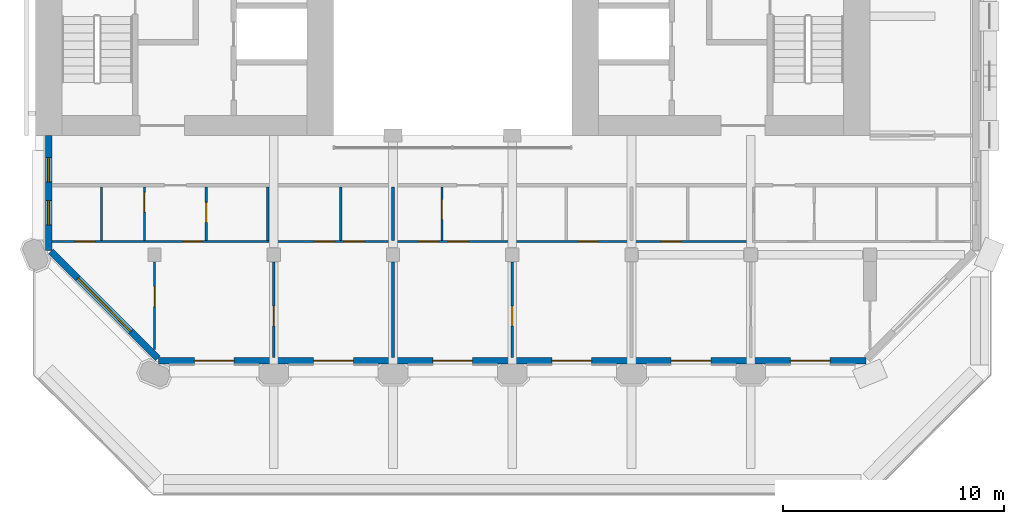
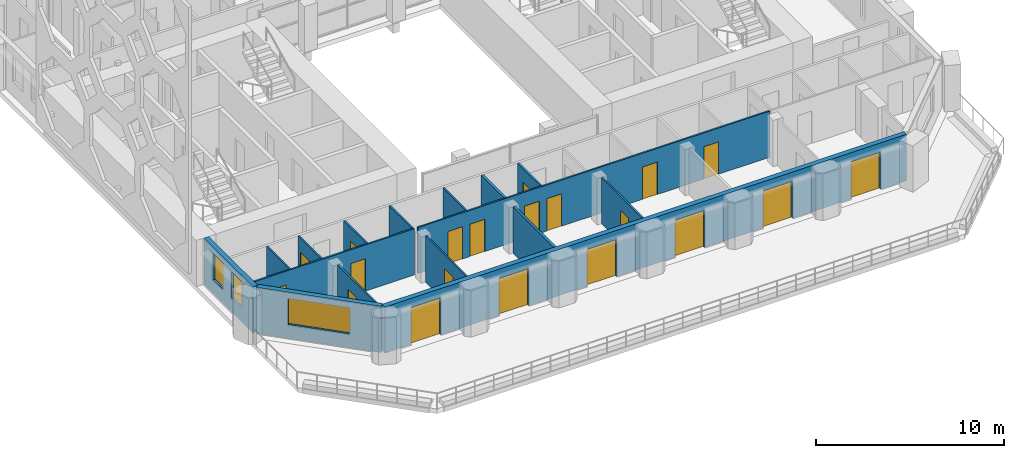
# One storey, part 8 of 17: 20 doors, 16 walls, 3 windows, 23 openings.
"""IFC4 building model written with IfcOpenShell, lengths in metres."""

from ifc_helpers import new_model, si_unit, direction, frame, frame_2d, origin, place, context, subcontext, project, spatial, rectangle, extrude, material, layer, layer_set, type_object, element, fill, save


model = new_model("IFC4")

# Units and contexts
model_context = context("Model", 3, precision=1e-05, world=origin(), true_north=direction((0.0, 1.0)))
body_context = subcontext(model_context, "Body", "Model", "MODEL_VIEW")
ifc_project = project(units=[si_unit("LENGTHUNIT", "METRE"), si_unit("AREAUNIT", "SQUARE_METRE"), si_unit("VOLUMEUNIT", "CUBIC_METRE"), si_unit("PLANEANGLEUNIT", "RADIAN"), si_unit("MASSUNIT", "GRAM", prefix="KILO")], contexts=[model_context])

# Site, building, storey
site_placement = place(None, origin())
site = spatial("IfcSite", under=ifc_project, at=site_placement, CompositionType="ELEMENT")
building_placement = place(site_placement, origin())
building = spatial("IfcBuilding", under=site, at=building_placement, Name="Tabaq Tower and Sports Hall", CompositionType="ELEMENT")
storey_placement = place(building_placement, frame((0.0, 0.0, 288.39990234375)))
storey = spatial("IfcBuildingStorey", under=building, at=storey_placement, Name="L71", CompositionType="ELEMENT", Elevation=288.39990234375)

# Wall, openings, doors
ifc_material_1 = material(Name="Gypsum board on steel studs", Category="steel")
ifc_layer_1 = layer(ifc_material_1, 0.10009765625)
ifc_layer_set_1 = layer_set([ifc_layer_1], Name="Partition 100 Gypsum board")
wall_type_1 = type_object("IfcWallType", Name="Partition 100 Gypsum board", PredefinedType="PARTITIONING", material=ifc_layer_set_1)
wall_1_placement = place(storey_placement, frame((15.97998046875, 11.39990234375, 0.0), z_axis=(0.0, 0.0, 1.0), x_axis=(-1.0, 0.0, 0.0)))
wall_1 = element("IfcWall", 1, at=wall_1_placement, inside=storey, type_object=wall_type_1, Name="Partition wall L71", PredefinedType="PARTITIONING", context=body_context, shape_type="SweptSolid", body=[
    extrude(rectangle(XDim=9.8291015625, YDim=0.10009765625, at=frame_2d((4.91455078125, 0.0))), origin(), (0.0, 0.0, 1.0), 3.0),
])
opening_1_placement = place(wall_1_placement, frame((7.8798828125, 0.0, 0.0)))
opening_1 = element("IfcOpeningElement", 2, at=opening_1_placement, cuts=wall_1, Name="Opening L71-018", PredefinedType="OPENING", context=body_context, shape_type="SweptSolid", body=[
    extrude(rectangle(XDim=0.89990234375, YDim=2.10009765625, at=frame_2d((0.449951171875, 1.050048828125))), frame((0.0, 0.050048828125, 0.0), z_axis=(0.0, -1.0, 0.0), x_axis=(1.0, 0.0, 0.0)), (0.0, 0.0, 1.0), 0.10009765625),
])
opening_2_placement = place(wall_1_placement, frame((3.010009765625, 0.0, 0.0)))
opening_2 = element("IfcOpeningElement", 3, at=opening_2_placement, cuts=wall_1, Name="Opening L71-058", PredefinedType="OPENING", context=body_context, shape_type="SweptSolid", body=[
    extrude(rectangle(XDim=0.89990234375, YDim=2.10009765625, at=frame_2d((0.449951171875, 1.050048828125))), frame((0.0, 0.050048828125, 0.0), z_axis=(0.0, -1.0, 0.0), x_axis=(1.0, 0.0, 0.0)), (0.0, 0.0, 1.0), 0.10009765625),
])
ifc_material_2 = material(Name="Timber leaf in steel frame", Category="steel")
door_type_1 = type_object("IfcDoorType", Name="Internal door 900 right hand", OperationType="SINGLE_SWING_RIGHT", PredefinedType="DOOR", material=ifc_material_2)
door_1_placement = place(opening_1_placement, origin())
door_1 = element("IfcDoor", 4, at=door_1_placement, inside=storey, type_object=door_type_1, Name="Internal door L71-018", OperationType="SINGLE_SWING_RIGHT", OverallHeight=2.10009765625, OverallWidth=0.89990234375, PredefinedType="DOOR", context=body_context, shape_type="SweptSolid", body=[
    extrude(rectangle(XDim=0.89990234375, YDim=2.10009765625, at=frame_2d((0.449951171875, 1.050048828125))), frame((0.0, 0.02490234375, 0.0), z_axis=(0.0, -1.0, 0.0), x_axis=(1.0, 0.0, 0.0)), (0.0, 0.0, 1.0), 0.050048828125),
])
fill(opening_1, door_1)
door_2_placement = place(opening_2_placement, origin())
door_2 = element("IfcDoor", 5, at=door_2_placement, inside=storey, type_object=door_type_1, Name="Internal door L71-058", OperationType="SINGLE_SWING_RIGHT", OverallHeight=2.10009765625, OverallWidth=0.89990234375, PredefinedType="DOOR", context=body_context, shape_type="SweptSolid", body=[
    extrude(rectangle(XDim=0.89990234375, YDim=2.10009765625, at=frame_2d((0.449951171875, 1.050048828125))), frame((0.0, 0.02490234375, 0.0), z_axis=(0.0, -1.0, 0.0), x_axis=(1.0, 0.0, 0.0)), (0.0, 0.0, 1.0), 0.050048828125),
])
fill(opening_2, door_2)

# Wall, opening, door
wall_2_placement = place(storey_placement, frame((10.800048828125, 6.51220703125, 0.0), z_axis=(0.0, 0.0, 1.0), x_axis=(0.0, 1.0, 0.0)))
wall_2 = element("IfcWall", 6, at=wall_2_placement, inside=storey, type_object=wall_type_1, Name="Partition wall L71", PredefinedType="PARTITIONING", context=body_context, shape_type="SweptSolid", body=[
    extrude(rectangle(XDim=3.9677734375, YDim=0.10009765625, at=frame_2d((1.98388671875, 0.0))), origin(), (0.0, 0.0, 1.0), 3.0),
])
opening_3_placement = place(wall_2_placement, frame((1.93798828125, 0.0, 0.0)))
opening_3 = element("IfcOpeningElement", 7, at=opening_3_placement, cuts=wall_2, Name="Opening L71-047", PredefinedType="OPENING", context=body_context, shape_type="SweptSolid", body=[
    extrude(rectangle(XDim=0.89990234375, YDim=2.10009765625, at=frame_2d((0.449951171875, 1.050048828125))), frame((0.0, 0.050048828125, 0.0), z_axis=(0.0, -1.0, 0.0), x_axis=(1.0, 0.0, 0.0)), (0.0, 0.0, 1.0), 0.10009765625),
])
door_3_placement = place(opening_3_placement, origin())
door_3 = element("IfcDoor", 8, at=door_3_placement, inside=storey, type_object=door_type_1, Name="Internal door L71-047", OperationType="SINGLE_SWING_RIGHT", OverallHeight=2.10009765625, OverallWidth=0.89990234375, PredefinedType="DOOR", context=body_context, shape_type="SweptSolid", body=[
    extrude(rectangle(XDim=0.89990234375, YDim=2.10009765625, at=frame_2d((0.449951171875, 1.050048828125))), frame((0.0, 0.02490234375, 0.0), z_axis=(0.0, -1.0, 0.0), x_axis=(1.0, 0.0, 0.0)), (0.0, 0.0, 1.0), 0.050048828125),
])
fill(opening_3, door_3)

wall_3_placement = place(storey_placement, frame((16.199951171875, 6.15087890625, 0.0), z_axis=(0.0, 0.0, 1.0), x_axis=(0.0, 1.0, 0.0)))
wall_3 = element("IfcWall", 9, at=wall_3_placement, inside=storey, type_object=wall_type_1, Name="Partition wall L71", PredefinedType="PARTITIONING", context=body_context, shape_type="SweptSolid", body=[
    extrude(rectangle(XDim=4.3291015625, YDim=0.10009765625, at=frame_2d((2.16455078125, 0.0))), origin(), (0.0, 0.0, 1.0), 3.0),
])
opening_4_placement = place(wall_3_placement, frame((1.424072265625, 0.0, 0.0)))
opening_4 = element("IfcOpeningElement", 10, at=opening_4_placement, cuts=wall_3, Name="Opening L71-056", PredefinedType="OPENING", context=body_context, shape_type="SweptSolid", body=[
    extrude(rectangle(XDim=0.89990234375, YDim=2.10009765625, at=frame_2d((0.449951171875, 1.050048828125))), frame((0.0, 0.050048828125, 0.0), z_axis=(0.0, -1.0, 0.0), x_axis=(1.0, 0.0, 0.0)), (0.0, 0.0, 1.0), 0.10009765625),
])
ifc_material_3 = material(Name="Timber leaf in steel frame", Category="steel")
door_type_2 = type_object("IfcDoorType", Name="Internal door 900 left hand", OperationType="SINGLE_SWING_LEFT", PredefinedType="DOOR", material=ifc_material_3)
door_4_placement = place(opening_4_placement, origin())
door_4 = element("IfcDoor", 11, at=door_4_placement, inside=storey, type_object=door_type_2, Name="Internal door L71-056", OperationType="SINGLE_SWING_LEFT", OverallHeight=2.10009765625, OverallWidth=0.89990234375, PredefinedType="DOOR", context=body_context, shape_type="SweptSolid", body=[
    extrude(rectangle(XDim=0.89990234375, YDim=2.10009765625, at=frame_2d((0.449951171875, 1.050048828125))), frame((0.0, 0.02490234375, 0.0), z_axis=(0.0, -1.0, 0.0), x_axis=(1.0, 0.0, 0.0)), (0.0, 0.0, 1.0), 0.050048828125),
])
fill(opening_4, door_4)

# Wall, openings, doors
wall_4_placement = place(storey_placement, frame((37.800048828125, 11.39990234375, 0.0), z_axis=(0.0, 0.0, 1.0), x_axis=(-1.0, 0.0, 0.0)))
wall_4 = element("IfcWall", 12, at=wall_4_placement, inside=storey, type_object=wall_type_1, Name="Partition wall L71", PredefinedType="PARTITIONING", context=body_context, shape_type="SweptSolid", body=[
    extrude(rectangle(XDim=21.60009765625, YDim=0.10009765625, at=frame_2d((10.800048828125, 0.0))), origin(), (0.0, 0.0, 1.0), 3.0),
])
opening_5_placement = place(wall_4_placement, frame((18.8701171875, 0.0, 0.0)))
opening_5 = element("IfcOpeningElement", 13, at=opening_5_placement, cuts=wall_4, Name="Opening L71-019", PredefinedType="OPENING", context=body_context, shape_type="SweptSolid", body=[
    extrude(rectangle(XDim=0.89990234375, YDim=2.10009765625, at=frame_2d((0.449951171875, 1.050048828125))), frame((0.0, 0.050048828125, 0.0), z_axis=(0.0, -1.0, 0.0), x_axis=(1.0, 0.0, 0.0)), (0.0, 0.0, 1.0), 0.10009765625),
])
opening_6_placement = place(wall_4_placement, frame((17.5, 0.0, 0.0)))
opening_6 = element("IfcOpeningElement", 14, at=opening_6_placement, cuts=wall_4, Name="Opening L71-020", PredefinedType="OPENING", context=body_context, shape_type="SweptSolid", body=[
    extrude(rectangle(XDim=0.89990234375, YDim=2.10009765625, at=frame_2d((0.449951171875, 1.050048828125))), frame((0.0, 0.050048828125, 0.0), z_axis=(0.0, -1.0, 0.0), x_axis=(1.0, 0.0, 0.0)), (0.0, 0.0, 1.0), 0.10009765625),
])
opening_7_placement = place(wall_4_placement, frame((6.916748046875, 0.0, 0.0)))
opening_7 = element("IfcOpeningElement", 15, at=opening_7_placement, cuts=wall_4, Name="Opening L71-023", PredefinedType="OPENING", context=body_context, shape_type="SweptSolid", body=[
    extrude(rectangle(XDim=0.89990234375, YDim=2.10009765625, at=frame_2d((0.449951171875, 1.050048828125))), frame((0.0, 0.050048828125, 0.0), z_axis=(0.0, -1.0, 0.0), x_axis=(1.0, 0.0, 0.0)), (0.0, 0.0, 1.0), 0.10009765625),
])
opening_8_placement = place(wall_4_placement, frame((3.14990234375, 0.0, 0.0)))
opening_8 = element("IfcOpeningElement", 16, at=opening_8_placement, cuts=wall_4, Name="Opening L71-025", PredefinedType="OPENING", context=body_context, shape_type="SweptSolid", body=[
    extrude(rectangle(XDim=0.89990234375, YDim=2.10009765625, at=frame_2d((0.449951171875, 1.050048828125))), frame((0.0, 0.050048828125, 0.0), z_axis=(0.0, -1.0, 0.0), x_axis=(1.0, 0.0, 0.0)), (0.0, 0.0, 1.0), 0.10009765625),
])
opening_9_placement = place(wall_4_placement, frame((14.157958984375, 0.0, 0.0)))
opening_9 = element("IfcOpeningElement", 17, at=opening_9_placement, cuts=wall_4, Name="Opening L71-049", PredefinedType="OPENING", context=body_context, shape_type="SweptSolid", body=[
    extrude(rectangle(XDim=0.89990234375, YDim=2.10009765625, at=frame_2d((0.449951171875, 1.050048828125))), frame((0.0, 0.050048828125, 0.0), z_axis=(0.0, -1.0, 0.0), x_axis=(1.0, 0.0, 0.0)), (0.0, 0.0, 1.0), 0.10009765625),
])
opening_10_placement = place(wall_4_placement, frame((12.7880859375, 0.0, 0.0)))
opening_10 = element("IfcOpeningElement", 18, at=opening_10_placement, cuts=wall_4, Name="Opening L71-060", PredefinedType="OPENING", context=body_context, shape_type="SweptSolid", body=[
    extrude(rectangle(XDim=0.89990234375, YDim=2.10009765625, at=frame_2d((0.449951171875, 1.050048828125))), frame((0.0, 0.050048828125, 0.0), z_axis=(0.0, -1.0, 0.0), x_axis=(1.0, 0.0, 0.0)), (0.0, 0.0, 1.0), 0.10009765625),
])
door_5_placement = place(opening_5_placement, origin())
door_5 = element("IfcDoor", 19, at=door_5_placement, inside=storey, type_object=door_type_2, Name="Internal door L71-019", OperationType="SINGLE_SWING_LEFT", OverallHeight=2.10009765625, OverallWidth=0.89990234375, PredefinedType="DOOR", context=body_context, shape_type="SweptSolid", body=[
    extrude(rectangle(XDim=0.89990234375, YDim=2.10009765625, at=frame_2d((0.449951171875, 1.050048828125))), frame((0.0, 0.02490234375, 0.0), z_axis=(0.0, -1.0, 0.0), x_axis=(1.0, 0.0, 0.0)), (0.0, 0.0, 1.0), 0.050048828125),
])
fill(opening_5, door_5)
door_6_placement = place(opening_7_placement, origin())
door_6 = element("IfcDoor", 20, at=door_6_placement, inside=storey, type_object=door_type_2, Name="Internal door L71-023", OperationType="SINGLE_SWING_LEFT", OverallHeight=2.10009765625, OverallWidth=0.89990234375, PredefinedType="DOOR", context=body_context, shape_type="SweptSolid", body=[
    extrude(rectangle(XDim=0.89990234375, YDim=2.10009765625, at=frame_2d((0.449951171875, 1.050048828125))), frame((0.0, 0.02490234375, 0.0), z_axis=(0.0, -1.0, 0.0), x_axis=(1.0, 0.0, 0.0)), (0.0, 0.0, 1.0), 0.050048828125),
])
fill(opening_7, door_6)
door_7_placement = place(opening_10_placement, origin())
door_7 = element("IfcDoor", 21, at=door_7_placement, inside=storey, type_object=door_type_2, Name="Internal door L71-060", OperationType="SINGLE_SWING_LEFT", OverallHeight=2.10009765625, OverallWidth=0.89990234375, PredefinedType="DOOR", context=body_context, shape_type="SweptSolid", body=[
    extrude(rectangle(XDim=0.89990234375, YDim=2.10009765625, at=frame_2d((0.449951171875, 1.050048828125))), frame((0.0, 0.02490234375, 0.0), z_axis=(0.0, -1.0, 0.0), x_axis=(1.0, 0.0, 0.0)), (0.0, 0.0, 1.0), 0.050048828125),
])
fill(opening_10, door_7)
door_8_placement = place(opening_6_placement, origin())
door_8 = element("IfcDoor", 22, at=door_8_placement, inside=storey, type_object=door_type_1, Name="Internal door L71-020", OperationType="SINGLE_SWING_RIGHT", OverallHeight=2.10009765625, OverallWidth=0.89990234375, PredefinedType="DOOR", context=body_context, shape_type="SweptSolid", body=[
    extrude(rectangle(XDim=0.89990234375, YDim=2.10009765625, at=frame_2d((0.449951171875, 1.050048828125))), frame((0.0, 0.02490234375, 0.0), z_axis=(0.0, -1.0, 0.0), x_axis=(1.0, 0.0, 0.0)), (0.0, 0.0, 1.0), 0.050048828125),
])
fill(opening_6, door_8)
door_9_placement = place(opening_8_placement, origin())
door_9 = element("IfcDoor", 23, at=door_9_placement, inside=storey, type_object=door_type_1, Name="Internal door L71-025", OperationType="SINGLE_SWING_RIGHT", OverallHeight=2.10009765625, OverallWidth=0.89990234375, PredefinedType="DOOR", context=body_context, shape_type="SweptSolid", body=[
    extrude(rectangle(XDim=0.89990234375, YDim=2.10009765625, at=frame_2d((0.449951171875, 1.050048828125))), frame((0.0, 0.02490234375, 0.0), z_axis=(0.0, -1.0, 0.0), x_axis=(1.0, 0.0, 0.0)), (0.0, 0.0, 1.0), 0.050048828125),
])
fill(opening_8, door_9)
door_10_placement = place(opening_9_placement, origin())
door_10 = element("IfcDoor", 24, at=door_10_placement, inside=storey, type_object=door_type_1, Name="Internal door L71-049", OperationType="SINGLE_SWING_RIGHT", OverallHeight=2.10009765625, OverallWidth=0.89990234375, PredefinedType="DOOR", context=body_context, shape_type="SweptSolid", body=[
    extrude(rectangle(XDim=0.89990234375, YDim=2.10009765625, at=frame_2d((0.449951171875, 1.050048828125))), frame((0.0, 0.02490234375, 0.0), z_axis=(0.0, -1.0, 0.0), x_axis=(1.0, 0.0, 0.0)), (0.0, 0.0, 1.0), 0.050048828125),
])
fill(opening_9, door_10)

# Wall
wall_5_placement = place(storey_placement, frame((8.39990234375, 11.449951171875, 0.0), z_axis=(0.0, 0.0, 1.0), x_axis=(0.0, 1.0, 0.0)))
element("IfcWall", 25, at=wall_5_placement, inside=storey, type_object=wall_type_1, Name="Partition wall L71", PredefinedType="PARTITIONING", context=body_context, shape_type="SweptSolid", body=[
    extrude(rectangle(XDim=2.425048828125, YDim=0.10009765625, at=frame_2d((1.21240234375, 0.0))), origin(), (0.0, 0.0, 1.0), 3.0),
])

# Wall, opening, door
wall_6_placement = place(storey_placement, frame((10.340087890625, 11.449951171875, 0.0), z_axis=(0.0, 0.0, 1.0), x_axis=(0.0, 1.0, 0.0)))
wall_6 = element("IfcWall", 26, at=wall_6_placement, inside=storey, type_object=wall_type_1, Name="Partition wall L71", PredefinedType="PARTITIONING", context=body_context, shape_type="SweptSolid", body=[
    extrude(rectangle(XDim=2.425048828125, YDim=0.10009765625, at=frame_2d((1.21240234375, 0.0))), origin(), (0.0, 0.0, 1.0), 3.0),
])
opening_11_placement = place(wall_6_placement, frame((1.27490234375, 0.0, 0.0)))
opening_11 = element("IfcOpeningElement", 27, at=opening_11_placement, cuts=wall_6, Name="Opening L71-021", PredefinedType="OPENING", context=body_context, shape_type="SweptSolid", body=[
    extrude(rectangle(XDim=0.89990234375, YDim=2.10009765625, at=frame_2d((0.449951171875, 1.050048828125))), frame((0.0, 0.050048828125, 0.0), z_axis=(0.0, -1.0, 0.0), x_axis=(1.0, 0.0, 0.0)), (0.0, 0.0, 1.0), 0.10009765625),
])
door_11_placement = place(opening_11_placement, origin())
door_11 = element("IfcDoor", 28, at=door_11_placement, inside=storey, type_object=door_type_1, Name="Internal door L71-021", OperationType="SINGLE_SWING_RIGHT", OverallHeight=2.10009765625, OverallWidth=0.89990234375, PredefinedType="DOOR", context=body_context, shape_type="SweptSolid", body=[
    extrude(rectangle(XDim=0.89990234375, YDim=2.10009765625, at=frame_2d((0.449951171875, 1.050048828125))), frame((0.0, 0.02490234375, 0.0), z_axis=(0.0, -1.0, 0.0), x_axis=(1.0, 0.0, 0.0)), (0.0, 0.0, 1.0), 0.050048828125),
])
fill(opening_11, door_11)

wall_7_placement = place(storey_placement, frame((13.139892578125, 11.449951171875, 0.0), z_axis=(0.0, 0.0, 1.0), x_axis=(0.0, 1.0, 0.0)))
wall_7 = element("IfcWall", 29, at=wall_7_placement, inside=storey, type_object=wall_type_1, Name="Partition wall L71", PredefinedType="PARTITIONING", context=body_context, shape_type="SweptSolid", body=[
    extrude(rectangle(XDim=2.425048828125, YDim=0.10009765625, at=frame_2d((1.21240234375, 0.0))), origin(), (0.0, 0.0, 1.0), 3.0),
])
opening_12_placement = place(wall_7_placement, frame((0.819091796875, 0.0, 0.0)))
opening_12 = element("IfcOpeningElement", 30, at=opening_12_placement, cuts=wall_7, Name="Opening L71-022", PredefinedType="OPENING", context=body_context, shape_type="SweptSolid", body=[
    extrude(rectangle(XDim=0.89990234375, YDim=2.10009765625, at=frame_2d((0.449951171875, 1.050048828125))), frame((0.0, 0.050048828125, 0.0), z_axis=(0.0, -1.0, 0.0), x_axis=(1.0, 0.0, 0.0)), (0.0, 0.0, 1.0), 0.10009765625),
])
door_12_placement = place(opening_12_placement, origin())
door_12 = element("IfcDoor", 31, at=door_12_placement, inside=storey, type_object=door_type_2, Name="Internal door L71-022", OperationType="SINGLE_SWING_LEFT", OverallHeight=2.10009765625, OverallWidth=0.89990234375, PredefinedType="DOOR", context=body_context, shape_type="SweptSolid", body=[
    extrude(rectangle(XDim=0.89990234375, YDim=2.10009765625, at=frame_2d((0.449951171875, 1.050048828125))), frame((0.0, 0.02490234375, 0.0), z_axis=(0.0, -1.0, 0.0), x_axis=(1.0, 0.0, 0.0)), (0.0, 0.0, 1.0), 0.050048828125),
])
fill(opening_12, door_12)

# Walls
for number, where, z_axis, x_axis, name in (
    (32, (15.929931640625, 11.449951171875, 0.0), (0.0, 0.0, 1.0), (0.0, 1.0, 0.0), "Partition wall L71"),
    (33, (19.22998046875, 11.449951171875, 0.0), (0.0, 0.0, 1.0), (0.0, 1.0, 0.0), "Partition wall L71"),
):
    element("IfcWall", number, at=place(storey_placement, frame(where, z_axis=z_axis, x_axis=x_axis)), inside=storey, type_object=wall_type_1, Name=name, PredefinedType="PARTITIONING", context=body_context, shape_type="SweptSolid", body=[
        extrude(rectangle(XDim=2.425048828125, YDim=0.10009765625, at=frame_2d((1.21240234375, 0.0))), origin(), (0.0, 0.0, 1.0), 3.0),
    ])

# Wall, opening, door
wall_8_placement = place(storey_placement, frame((27.0, 6.15087890625, 0.0), z_axis=(0.0, 0.0, 1.0), x_axis=(0.0, 1.0, 0.0)))
wall_8 = element("IfcWall", 34, at=wall_8_placement, inside=storey, type_object=wall_type_1, Name="Partition wall L71", PredefinedType="PARTITIONING", context=body_context, shape_type="SweptSolid", body=[
    extrude(rectangle(XDim=4.3291015625, YDim=0.10009765625, at=frame_2d((2.16455078125, 0.0))), origin(), (0.0, 0.0, 1.0), 3.0),
])
opening_13_placement = place(wall_8_placement, frame((1.424072265625, 0.0, 0.0)))
opening_13 = element("IfcOpeningElement", 35, at=opening_13_placement, cuts=wall_8, Name="Opening L71-048", PredefinedType="OPENING", context=body_context, shape_type="SweptSolid", body=[
    extrude(rectangle(XDim=0.89990234375, YDim=2.10009765625, at=frame_2d((0.449951171875, 1.050048828125))), frame((0.0, 0.050048828125, 0.0), z_axis=(0.0, -1.0, 0.0), x_axis=(1.0, 0.0, 0.0)), (0.0, 0.0, 1.0), 0.10009765625),
])
door_13_placement = place(opening_13_placement, origin())
door_13 = element("IfcDoor", 36, at=door_13_placement, inside=storey, type_object=door_type_1, Name="Internal door L71-048", OperationType="SINGLE_SWING_RIGHT", OverallHeight=2.10009765625, OverallWidth=0.89990234375, PredefinedType="DOOR", context=body_context, shape_type="SweptSolid", body=[
    extrude(rectangle(XDim=0.89990234375, YDim=2.10009765625, at=frame_2d((0.449951171875, 1.050048828125))), frame((0.0, 0.02490234375, 0.0), z_axis=(0.0, -1.0, 0.0), x_axis=(1.0, 0.0, 0.0)), (0.0, 0.0, 1.0), 0.050048828125),
])
fill(opening_13, door_13)

wall_9_placement = place(storey_placement, frame((23.81201171875, 11.449951171875, 0.0), z_axis=(0.0, 0.0, 1.0), x_axis=(0.0, 1.0, 0.0)))
wall_9 = element("IfcWall", 37, at=wall_9_placement, inside=storey, type_object=wall_type_1, Name="Partition wall L71", PredefinedType="PARTITIONING", context=body_context, shape_type="SweptSolid", body=[
    extrude(rectangle(XDim=2.425048828125, YDim=0.10009765625, at=frame_2d((1.21240234375, 0.0))), origin(), (0.0, 0.0, 1.0), 3.0),
])
opening_14_placement = place(wall_9_placement, frame((0.949951171875, 0.0, 0.0)))
opening_14 = element("IfcOpeningElement", 38, at=opening_14_placement, cuts=wall_9, Name="Opening L71-050", PredefinedType="OPENING", context=body_context, shape_type="SweptSolid", body=[
    extrude(rectangle(XDim=0.89990234375, YDim=2.10009765625, at=frame_2d((0.449951171875, 1.050048828125))), frame((0.0, 0.050048828125, 0.0), z_axis=(0.0, -1.0, 0.0), x_axis=(1.0, 0.0, 0.0)), (0.0, 0.0, 1.0), 0.10009765625),
])
door_14_placement = place(opening_14_placement, origin())
door_14 = element("IfcDoor", 39, at=door_14_placement, inside=storey, type_object=door_type_2, Name="Internal door L71-050", OperationType="SINGLE_SWING_LEFT", OverallHeight=2.10009765625, OverallWidth=0.89990234375, PredefinedType="DOOR", context=body_context, shape_type="SweptSolid", body=[
    extrude(rectangle(XDim=0.89990234375, YDim=2.10009765625, at=frame_2d((0.449951171875, 1.050048828125))), frame((0.0, 0.02490234375, 0.0), z_axis=(0.0, -1.0, 0.0), x_axis=(1.0, 0.0, 0.0)), (0.0, 0.0, 1.0), 0.050048828125),
])
fill(opening_14, door_14)

# Walls
ifc_material_4 = material(Name="Blockwork", Category="masonry")
ifc_layer_2 = layer(ifc_material_4, 0.14990234375)
ifc_layer_set_2 = layer_set([ifc_layer_2], Name="Separating wall 150 Blockwork")
wall_type_2 = type_object("IfcWallType", Name="Separating wall 150 Blockwork", PredefinedType="PARTITIONING", material=ifc_layer_set_2)
wall_10_placement = place(storey_placement, frame((21.60009765625, 6.15087890625, 0.0), z_axis=(0.0, 0.0, 1.0), x_axis=(0.0, 1.0, 0.0)))
element("IfcWall", 40, at=wall_10_placement, inside=storey, type_object=wall_type_2, Name="Separating wall L71", PredefinedType="PARTITIONING", context=body_context, shape_type="SweptSolid", body=[
    extrude(rectangle(XDim=4.3291015625, YDim=0.14990234375, at=frame_2d((2.16455078125, 0.0))), origin(), (0.0, 0.0, 1.0), 3.0),
])
wall_11_placement = place(storey_placement, frame((21.60009765625, 11.449951171875, 0.0), z_axis=(0.0, 0.0, 1.0), x_axis=(0.0, 1.0, 0.0)))
element("IfcWall", 41, at=wall_11_placement, inside=storey, type_object=wall_type_2, Name="Separating wall L71", PredefinedType="PARTITIONING", context=body_context, shape_type="SweptSolid", body=[
    extrude(rectangle(XDim=2.425048828125, YDim=0.14990234375, at=frame_2d((1.21240234375, 0.0))), origin(), (0.0, 0.0, 1.0), 3.0),
])

# Wall, openings, doors
ifc_material_5 = material(Name="White precast concrete C60/75", Category="concrete")
ifc_layer_3 = layer(ifc_material_5, 0.300048828125)
ifc_layer_set_3 = layer_set([ifc_layer_3], Name="White precast concrete C60/75 external wall 300")
wall_type_3 = type_object("IfcWallType", Name="White precast concrete C60/75 external wall 300", PredefinedType="SOLIDWALL", material=ifc_layer_set_3)
wall_12_placement = place(storey_placement, frame((10.986328125, 6.0, 0.0), z_axis=(0.0, 0.0, 1.0), x_axis=(1.0, 0.0, 0.0)))
wall_12 = element("IfcWall", 42, at=wall_12_placement, inside=storey, type_object=wall_type_3, Name="External Wall L71 S", PredefinedType="SOLIDWALL", context=body_context, shape_type="SweptSolid", body=[
    extrude(rectangle(XDim=32.02734375, YDim=0.300048828125, at=frame_2d((16.013671875, 0.0))), origin(), (0.0, 0.0, 1.0), 3.0),
])
opening_15_placement = place(wall_12_placement, frame((1.613525390625, 0.0, 0.0)))
opening_15 = element("IfcOpeningElement", 43, at=opening_15_placement, cuts=wall_12, Name="Opening TD7101", PredefinedType="OPENING", context=body_context, shape_type="SweptSolid", body=[
    extrude(rectangle(XDim=1.800048828125, YDim=2.39990234375, at=frame_2d((0.89990234375, 1.199951171875))), frame((0.0, 0.16015625, 0.0), z_axis=(0.0, -1.0, 0.0), x_axis=(1.0, 0.0, 0.0)), (0.0, 0.0, 1.0), 0.320068359375),
])
opening_16_placement = place(wall_12_placement, frame((7.013671875, 0.0, 0.0)))
opening_16 = element("IfcOpeningElement", 44, at=opening_16_placement, cuts=wall_12, Name="Opening TD7102", PredefinedType="OPENING", context=body_context, shape_type="SweptSolid", body=[
    extrude(rectangle(XDim=1.800048828125, YDim=2.39990234375, at=frame_2d((0.89990234375, 1.199951171875))), frame((0.0, 0.16015625, 0.0), z_axis=(0.0, -1.0, 0.0), x_axis=(1.0, 0.0, 0.0)), (0.0, 0.0, 1.0), 0.320068359375),
])
opening_17_placement = place(wall_12_placement, frame((12.41357421875, 0.0, 0.0)))
opening_17 = element("IfcOpeningElement", 45, at=opening_17_placement, cuts=wall_12, Name="Opening TD7103", PredefinedType="OPENING", context=body_context, shape_type="SweptSolid", body=[
    extrude(rectangle(XDim=1.800048828125, YDim=2.39990234375, at=frame_2d((0.89990234375, 1.199951171875))), frame((0.0, 0.16015625, 0.0), z_axis=(0.0, -1.0, 0.0), x_axis=(1.0, 0.0, 0.0)), (0.0, 0.0, 1.0), 0.320068359375),
])
opening_18_placement = place(wall_12_placement, frame((17.813720703125, 0.0, 0.0)))
opening_18 = element("IfcOpeningElement", 46, at=opening_18_placement, cuts=wall_12, Name="Opening TD7104", PredefinedType="OPENING", context=body_context, shape_type="SweptSolid", body=[
    extrude(rectangle(XDim=1.800048828125, YDim=2.39990234375, at=frame_2d((0.89990234375, 1.199951171875))), frame((0.0, 0.16015625, 0.0), z_axis=(0.0, -1.0, 0.0), x_axis=(1.0, 0.0, 0.0)), (0.0, 0.0, 1.0), 0.320068359375),
])
opening_19_placement = place(wall_12_placement, frame((23.213623046875, 0.0, 0.0)))
opening_19 = element("IfcOpeningElement", 47, at=opening_19_placement, cuts=wall_12, Name="Opening TD7105", PredefinedType="OPENING", context=body_context, shape_type="SweptSolid", body=[
    extrude(rectangle(XDim=1.800048828125, YDim=2.39990234375, at=frame_2d((0.89990234375, 1.199951171875))), frame((0.0, 0.16015625, 0.0), z_axis=(0.0, -1.0, 0.0), x_axis=(1.0, 0.0, 0.0)), (0.0, 0.0, 1.0), 0.320068359375),
])
opening_20_placement = place(wall_12_placement, frame((28.613525390625, 0.0, 0.0)))
opening_20 = element("IfcOpeningElement", 48, at=opening_20_placement, cuts=wall_12, Name="Opening TD7106", PredefinedType="OPENING", context=body_context, shape_type="SweptSolid", body=[
    extrude(rectangle(XDim=1.800048828125, YDim=2.39990234375, at=frame_2d((0.89990234375, 1.199951171875))), frame((0.0, 0.16015625, 0.0), z_axis=(0.0, -1.0, 0.0), x_axis=(1.0, 0.0, 0.0)), (0.0, 0.0, 1.0), 0.320068359375),
])
ifc_material_6 = material(Name="Aluminium framed clear glazing", Category="aluminium")
door_type_3 = type_object("IfcDoorType", Name="Terrace door TD1", OperationType="DOUBLE_DOOR_DOUBLE_SWING", PredefinedType="DOOR", material=ifc_material_6)
door_15_placement = place(opening_15_placement, origin())
door_15 = element("IfcDoor", 49, at=door_15_placement, inside=storey, type_object=door_type_3, Name="Terrace door TD7101", OperationType="DOUBLE_DOOR_DOUBLE_SWING", OverallHeight=2.39990234375, OverallWidth=1.800048828125, PredefinedType="DOOR", context=body_context, shape_type="SweptSolid", body=[
    extrude(rectangle(XDim=1.800048828125, YDim=2.39990234375, at=frame_2d((0.89990234375, 1.199951171875))), frame((0.0, 0.02490234375, 0.0), z_axis=(0.0, -1.0, 0.0), x_axis=(1.0, 0.0, 0.0)), (0.0, 0.0, 1.0), 0.050048828125),
])
fill(opening_15, door_15)
door_16_placement = place(opening_16_placement, origin())
door_16 = element("IfcDoor", 50, at=door_16_placement, inside=storey, type_object=door_type_3, Name="Terrace door TD7102", OperationType="DOUBLE_DOOR_DOUBLE_SWING", OverallHeight=2.39990234375, OverallWidth=1.800048828125, PredefinedType="DOOR", context=body_context, shape_type="SweptSolid", body=[
    extrude(rectangle(XDim=1.800048828125, YDim=2.39990234375, at=frame_2d((0.89990234375, 1.199951171875))), frame((0.0, 0.02490234375, 0.0), z_axis=(0.0, -1.0, 0.0), x_axis=(1.0, 0.0, 0.0)), (0.0, 0.0, 1.0), 0.050048828125),
])
fill(opening_16, door_16)
door_17_placement = place(opening_17_placement, origin())
door_17 = element("IfcDoor", 51, at=door_17_placement, inside=storey, type_object=door_type_3, Name="Terrace door TD7103", OperationType="DOUBLE_DOOR_DOUBLE_SWING", OverallHeight=2.39990234375, OverallWidth=1.800048828125, PredefinedType="DOOR", context=body_context, shape_type="SweptSolid", body=[
    extrude(rectangle(XDim=1.800048828125, YDim=2.39990234375, at=frame_2d((0.89990234375, 1.199951171875))), frame((0.0, 0.02490234375, 0.0), z_axis=(0.0, -1.0, 0.0), x_axis=(1.0, 0.0, 0.0)), (0.0, 0.0, 1.0), 0.050048828125),
])
fill(opening_17, door_17)
door_18_placement = place(opening_18_placement, origin())
door_18 = element("IfcDoor", 52, at=door_18_placement, inside=storey, type_object=door_type_3, Name="Terrace door TD7104", OperationType="DOUBLE_DOOR_DOUBLE_SWING", OverallHeight=2.39990234375, OverallWidth=1.800048828125, PredefinedType="DOOR", context=body_context, shape_type="SweptSolid", body=[
    extrude(rectangle(XDim=1.800048828125, YDim=2.39990234375, at=frame_2d((0.89990234375, 1.199951171875))), frame((0.0, 0.02490234375, 0.0), z_axis=(0.0, -1.0, 0.0), x_axis=(1.0, 0.0, 0.0)), (0.0, 0.0, 1.0), 0.050048828125),
])
fill(opening_18, door_18)
door_19_placement = place(opening_19_placement, origin())
door_19 = element("IfcDoor", 53, at=door_19_placement, inside=storey, type_object=door_type_3, Name="Terrace door TD7105", OperationType="DOUBLE_DOOR_DOUBLE_SWING", OverallHeight=2.39990234375, OverallWidth=1.800048828125, PredefinedType="DOOR", context=body_context, shape_type="SweptSolid", body=[
    extrude(rectangle(XDim=1.800048828125, YDim=2.39990234375, at=frame_2d((0.89990234375, 1.199951171875))), frame((0.0, 0.02490234375, 0.0), z_axis=(0.0, -1.0, 0.0), x_axis=(1.0, 0.0, 0.0)), (0.0, 0.0, 1.0), 0.050048828125),
])
fill(opening_19, door_19)
door_20_placement = place(opening_20_placement, origin())
door_20 = element("IfcDoor", 54, at=door_20_placement, inside=storey, type_object=door_type_3, Name="Terrace door TD7106", OperationType="DOUBLE_DOOR_DOUBLE_SWING", OverallHeight=2.39990234375, OverallWidth=1.800048828125, PredefinedType="DOOR", context=body_context, shape_type="SweptSolid", body=[
    extrude(rectangle(XDim=1.800048828125, YDim=2.39990234375, at=frame_2d((0.89990234375, 1.199951171875))), frame((0.0, 0.02490234375, 0.0), z_axis=(0.0, -1.0, 0.0), x_axis=(1.0, 0.0, 0.0)), (0.0, 0.0, 1.0), 0.050048828125),
])
fill(opening_20, door_20)

# Wall, openings, windows
wall_13_placement = place(storey_placement, frame((6.0, 16.199951171875, 0.0), z_axis=(0.0, 0.0, 1.0), x_axis=(0.0, -1.0, 0.0)))
wall_13 = element("IfcWall", 55, at=wall_13_placement, inside=storey, type_object=wall_type_3, Name="External Wall L71 W", PredefinedType="SOLIDWALL", context=body_context, shape_type="SweptSolid", body=[
    extrude(rectangle(XDim=5.213623046875, YDim=0.300048828125, at=frame_2d((2.60693359375, 0.0))), origin(), (0.0, 0.0, 1.0), 3.0),
])
opening_21_placement = place(wall_13_placement, frame((1.0, 0.0, 0.89990234375)))
opening_21 = element("IfcOpeningElement", 56, at=opening_21_placement, cuts=wall_13, Name="Opening W1B", PredefinedType="OPENING", context=body_context, shape_type="SweptSolid", body=[
    extrude(rectangle(XDim=1.10009765625, YDim=1.699951171875, at=frame_2d((0.550048828125, 0.85009765625))), frame((0.0, 0.16015625, 0.0), z_axis=(0.0, -1.0, 0.0), x_axis=(1.0, 0.0, 0.0)), (0.0, 0.0, 1.0), 0.320068359375),
])
opening_22_placement = place(wall_13_placement, frame((2.949951171875, 0.0, 0.89990234375)))
opening_22 = element("IfcOpeningElement", 57, at=opening_22_placement, cuts=wall_13, Name="Opening W1B", PredefinedType="OPENING", context=body_context, shape_type="SweptSolid", body=[
    extrude(rectangle(XDim=1.10009765625, YDim=1.699951171875, at=frame_2d((0.550048828125, 0.85009765625))), frame((0.0, 0.16015625, 0.0), z_axis=(0.0, -1.0, 0.0), x_axis=(1.0, 0.0, 0.0)), (0.0, 0.0, 1.0), 0.320068359375),
])
ifc_material_7 = material(Name="Aluminium framed clear glazing", Category="aluminium")
window_type_1 = type_object("IfcWindowType", Name="Window W1B", PartitioningType="SINGLE_PANEL", PredefinedType="WINDOW", material=ifc_material_7)
window_1_placement = place(opening_21_placement, origin())
window_1 = element("IfcWindow", 58, at=window_1_placement, inside=storey, type_object=window_type_1, Name="Window W1B L71", OverallHeight=1.699951171875, OverallWidth=1.10009765625, PartitioningType="SINGLE_PANEL", PredefinedType="WINDOW", context=body_context, shape_type="SweptSolid", body=[
    extrude(rectangle(XDim=1.10009765625, YDim=1.699951171875, at=frame_2d((0.550048828125, 0.85009765625))), frame((0.0, 0.030029296875, 0.0), z_axis=(0.0, -1.0, 0.0), x_axis=(1.0, 0.0, 0.0)), (0.0, 0.0, 1.0), 0.06005859375),
])
fill(opening_21, window_1)
window_2_placement = place(opening_22_placement, origin())
window_2 = element("IfcWindow", 59, at=window_2_placement, inside=storey, type_object=window_type_1, Name="Window W1B L71", OverallHeight=1.699951171875, OverallWidth=1.10009765625, PartitioningType="SINGLE_PANEL", PredefinedType="WINDOW", context=body_context, shape_type="SweptSolid", body=[
    extrude(rectangle(XDim=1.10009765625, YDim=1.699951171875, at=frame_2d((0.550048828125, 0.85009765625))), frame((0.0, 0.030029296875, 0.0), z_axis=(0.0, -1.0, 0.0), x_axis=(1.0, 0.0, 0.0)), (0.0, 0.0, 1.0), 0.06005859375),
])
fill(opening_22, window_2)

# Wall, opening, window
wall_14_placement = place(storey_placement, frame((6.098876953125, 10.949462890625, 0.0), z_axis=(0.0, 0.0, 1.0), x_axis=(0.707106781187, -0.707106781187, 0.0)))
wall_14 = element("IfcWall", 60, at=wall_14_placement, inside=storey, type_object=wall_type_3, Name="External Wall L71 SW", PredefinedType="SOLIDWALL", context=body_context, shape_type="SweptSolid", body=[
    extrude(rectangle(XDim=6.85986328125, YDim=0.300048828125, at=frame_2d((3.429931640625, 0.0))), origin(), (0.0, 0.0, 1.0), 3.0),
])
opening_23_placement = place(wall_14_placement, frame((1.729736328125, 0.0, 0.89990234375)))
opening_23 = element("IfcOpeningElement", 61, at=opening_23_placement, cuts=wall_14, Name="Opening W1A", PredefinedType="OPENING", context=body_context, shape_type="SweptSolid", body=[
    extrude(rectangle(XDim=3.39990234375, YDim=1.699951171875, at=frame_2d((1.699951171875, 0.85009765625))), frame((0.0, 0.16015625, 0.0), z_axis=(0.0, -1.0, 0.0), x_axis=(1.0, 0.0, 0.0)), (0.0, 0.0, 1.0), 0.320068359375),
])
ifc_material_8 = material(Name="Aluminium framed clear glazing", Category="aluminium")
window_type_2 = type_object("IfcWindowType", Name="Window W1A", PartitioningType="SINGLE_PANEL", PredefinedType="WINDOW", material=ifc_material_8)
window_3_placement = place(opening_23_placement, origin())
window_3 = element("IfcWindow", 62, at=window_3_placement, inside=storey, type_object=window_type_2, Name="Window W1A L71", OverallHeight=1.699951171875, OverallWidth=3.39990234375, PartitioningType="SINGLE_PANEL", PredefinedType="WINDOW", context=body_context, shape_type="SweptSolid", body=[
    extrude(rectangle(XDim=3.39990234375, YDim=1.699951171875, at=frame_2d((1.699951171875, 0.85009765625))), frame((0.0, 0.030029296875, 0.0), z_axis=(0.0, -1.0, 0.0), x_axis=(1.0, 0.0, 0.0)), (0.0, 0.0, 1.0), 0.06005859375),
])
fill(opening_23, window_3)

save(model, "model.ifc")
